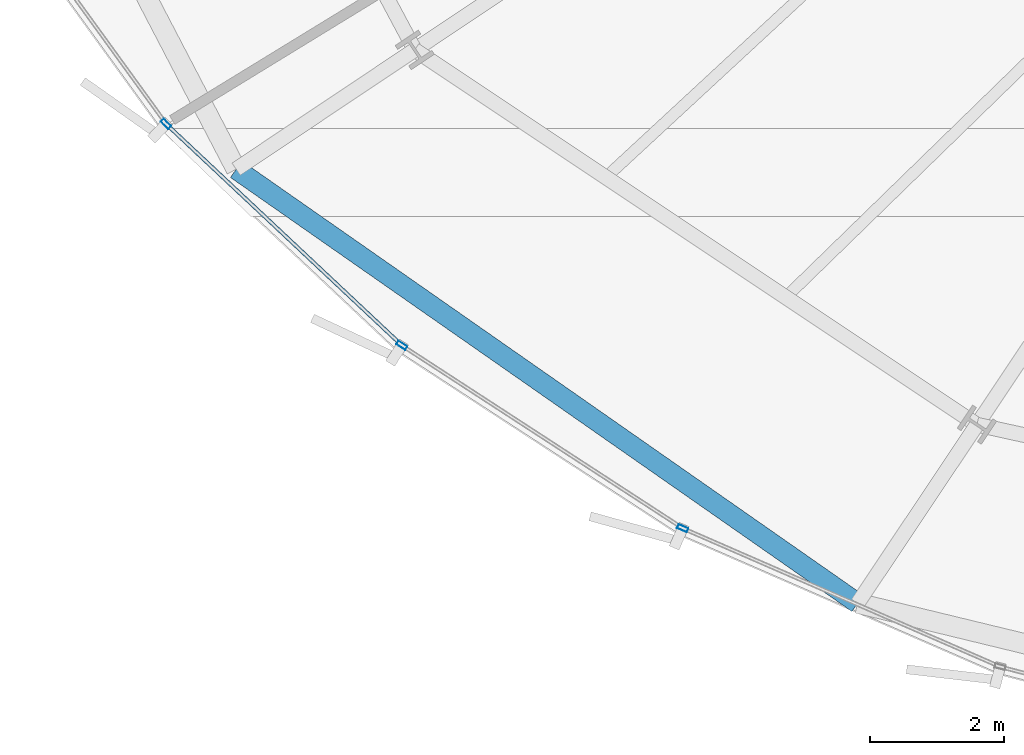
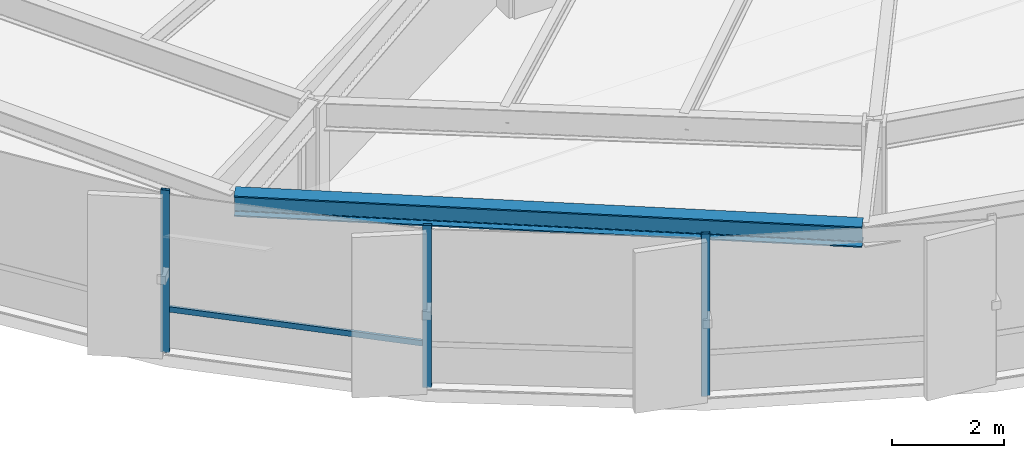
# One storey, part 2 of 37: 4 members, 1 beam, 1 element without a shape of its own.
"""IFC4 building model written with IfcOpenShell, lengths in metres."""

from ifc_helpers import new_model, si_unit, direction, frame, origin, origin_2d, place, context, subcontext, project, spatial, hollow_rectangle, i_section, extrude, source, transform, mapped, material, layer, layer_set, material_profile, profile_set, type_object, element, aggregate, save


model = new_model("IFC4")

# Units and contexts
model_context = context("Model", 3, precision=1e-05, world=origin(), true_north=direction((0.0, 1.0)))
body_context = subcontext(model_context, "Body", "Model", "MODEL_VIEW")
ifc_project = project(units=[si_unit("LENGTHUNIT", "METRE"), si_unit("AREAUNIT", "SQUARE_METRE"), si_unit("VOLUMEUNIT", "CUBIC_METRE"), si_unit("PLANEANGLEUNIT", "RADIAN"), si_unit("MASSUNIT", "GRAM", prefix="KILO"), si_unit("THERMODYNAMICTEMPERATUREUNIT", "KELVIN")], contexts=[model_context])

# Site, building, storey
site_placement = place(None, origin())
site = spatial("IfcSite", under=ifc_project, at=site_placement, CompositionType="ELEMENT")
building_placement = place(site_placement, origin())
building = spatial("IfcBuilding", under=site, at=building_placement, Name="Kethvar Cultural Tower", CompositionType="ELEMENT")
storey_placement = place(building_placement, frame((0.0, 0.0, 56.199951171875)))
storey = spatial("IfcBuildingStorey", under=building, at=storey_placement, Name="L13", CompositionType="ELEMENT", Elevation=56.199951171875)

# Beam
ifc_material_1 = material(Name="Steel S355J2", Category="steel")
ifc_material_profile_1 = material_profile(ifc_material_1, i_section(OverallWidth=0.300048828125, OverallDepth=0.449951171875, WebThickness=0.013916015625, FlangeThickness=0.02587890625, FilletRadius=0.027099609375, at=origin_2d()), Name="Steel S355J2 — HEB450")
ifc_profile_set_1 = profile_set([ifc_material_profile_1], Name="Steel S355J2 — HEB450")
beam_type = type_object("IfcBeamType", Name="BM-SP450", PredefinedType="SPANDREL", material=ifc_profile_set_1)
shared_shape_1 = source(origin(), body_context, "Body", "SweptSolid", [
    extrude(i_section(OverallWidth=0.300048828125, OverallDepth=0.449951171875, WebThickness=0.013916015625, FlangeThickness=0.02587890625, FilletRadius=0.027099609375, at=origin_2d()), origin(), (0.0, 0.0, 1.0), 11.295166015625),
])
beam_placement = place(storey_placement, frame((22.263916015625, 11.405517578125, 3.322998046875), z_axis=(0.819850874587, -0.572577106981, 0.0), x_axis=(0.572577106981, 0.819850874587, 0.0)))
element("IfcBeam", 1, at=beam_placement, inside=storey, type_object=beam_type, Name="L13 Perimeter Spandrel Beam SP-10", PredefinedType="SPANDREL", context=body_context, shape_type="MappedRepresentation", body=[
    mapped(shared_shape_1, transform((0.0, 0.0, 0.0), scale=1.0)),
])

# Curtain wall, members
ifc_material_2 = material(Name="Aluminium 6063-T6", Category="aluminium")
ifc_layer = layer(ifc_material_2, 0.179931640625, Name="Aluminium 6063-T6", Category="aluminium")
ifc_layer_set = layer_set([ifc_layer], Name="Aluminium 6063-T6 (180 mm)")
curtain_wall_type = type_object("IfcCurtainWallType", Name="CW-SYS-02-Z1", PredefinedType="NOTDEFINED", material=ifc_layer_set)
curtain_wall_placement = place(storey_placement, origin())
curtain_wall = element("IfcCurtainWall", 2, at=curtain_wall_placement, inside=storey, type_object=curtain_wall_type, Name="L13 Curtain Wall Run 05", PredefinedType="NOTDEFINED")
ifc_material_profile_2 = material_profile(ifc_material_2, hollow_rectangle(XDim=0.06494140625, YDim=0.159912109375, WallThickness=0.0048828125, at=origin_2d()), Name="Aluminium 6063-T6 — RHS160x65x5")
ifc_profile_set_2 = profile_set([ifc_material_profile_2], Name="Aluminium 6063-T6 — RHS160x65x5")
member_type_1 = type_object("IfcMemberType", Name="CW-SYS-02-Z1-MUL", PredefinedType="MULLION", material=ifc_profile_set_2)
shared_shape_2 = source(origin(), body_context, "Body", "SweptSolid", [
    extrude(hollow_rectangle(XDim=0.06494140625, YDim=0.159912109375, WallThickness=0.0048828125, at=origin_2d()), origin(), (0.0, 0.0, 1.0), 3.550048828125),
])
member_1_placement = place(storey_placement, frame((21.218017578125, 12.08154296875, 0.0), z_axis=(0.0, 0.0, 1.0), x_axis=(0.684521659706, 0.728992522179, 0.0)))
member_1 = element("IfcMember", 3, at=member_1_placement, type_object=member_type_1, Name="CW-L13-R05 Mullion 2", PredefinedType="MULLION", context=body_context, shape_type="MappedRepresentation", body=[
    mapped(shared_shape_2, transform((0.0, 0.0, 0.0), scale=1.0)),
])
member_2_placement = place(storey_placement, frame((24.731689453125, 8.77978515625, 0.0), z_axis=(0.0, 0.0, 1.0), x_axis=(0.545282927115, 0.838252067935, 0.0)))
member_2 = element("IfcMember", 4, at=member_2_placement, type_object=member_type_1, Name="CW-L13-R05 Mullion 3", PredefinedType="MULLION", context=body_context, shape_type="MappedRepresentation", body=[
    mapped(shared_shape_2, transform((0.0, 0.0, 0.0), scale=1.0)),
])
member_3_placement = place(storey_placement, frame((28.9169921875, 6.05517578125, 0.0), z_axis=(0.0, 0.0, 1.0), x_axis=(0.399645198517, 0.916669905311, 0.0)))
member_3 = element("IfcMember", 5, at=member_3_placement, type_object=member_type_1, Name="CW-L13-R05 Mullion 4", PredefinedType="MULLION", context=body_context, shape_type="MappedRepresentation", body=[
    mapped(shared_shape_2, transform((0.0, 0.0, 0.0), scale=1.0)),
])
ifc_material_profile_3 = material_profile(ifc_material_2, hollow_rectangle(XDim=0.054931640625, YDim=0.1201171875, WallThickness=0.00390625, at=origin_2d()), Name="Aluminium 6063-T6 — RHS120x55x4")
ifc_profile_set_3 = profile_set([ifc_material_profile_3], Name="Aluminium 6063-T6 — RHS120x55x4")
member_type_2 = type_object("IfcMemberType", Name="CW-SYS-02-Z1-TRN", PredefinedType="USERDEFINED", material=ifc_profile_set_3)
shared_shape_3 = source(origin(), body_context, "Body", "SweptSolid", [
    extrude(hollow_rectangle(XDim=0.054931640625, YDim=0.1201171875, WallThickness=0.00390625, at=origin_2d()), origin(), (0.0, 0.0, 1.0), 4.7490234375),
])
member_4_placement = place(storey_placement, frame((21.252197265625, 12.04931640625, 0.949951171875), z_axis=(0.728991878244, -0.684522345474, 0.0), x_axis=(0.684522345474, 0.728991878244, 0.0)))
member_4 = element("IfcMember", 6, at=member_4_placement, type_object=member_type_2, Name="CW-L13-R05 Transom 2", ObjectType="TRANSOM", PredefinedType="USERDEFINED", context=body_context, shape_type="MappedRepresentation", body=[
    mapped(shared_shape_3, transform((0.0, 0.0, 0.0), scale=1.0)),
])
aggregate(curtain_wall, [member_1, member_2, member_3, member_4])

save(model, "model.ifc")
